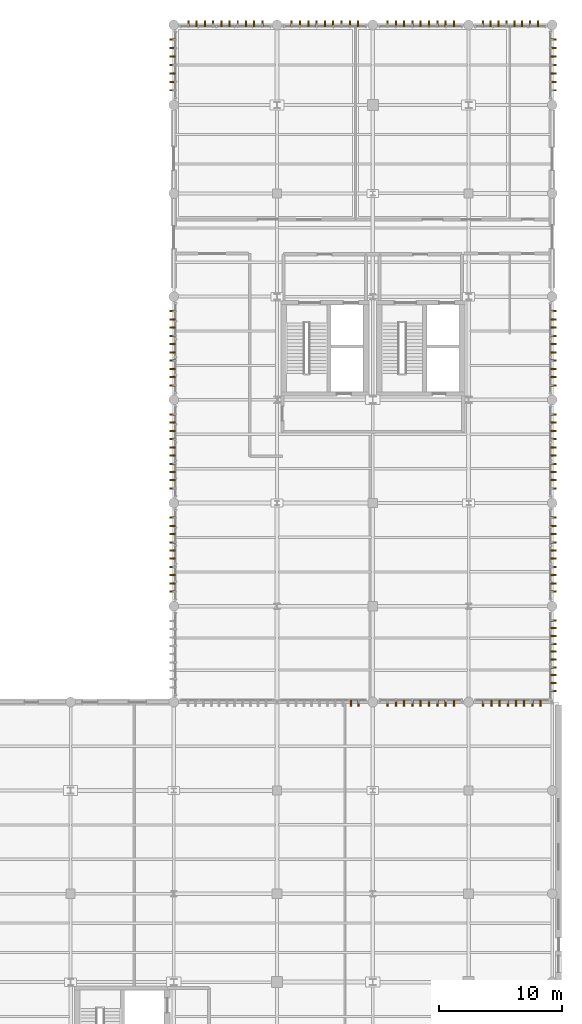
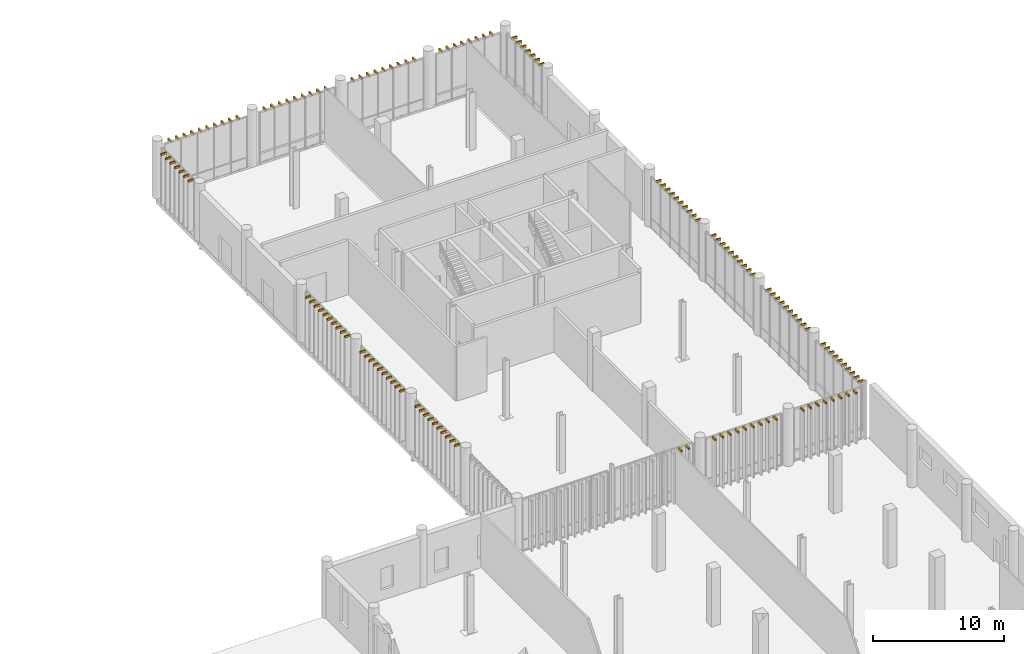
# One storey, part 111 of 112: 139 shading devices.
"""IFC4 building model written with IfcOpenShell, lengths in metres."""

import ifcopenshell
import ifcopenshell.guid

model = None  # the IFC model being written
_history = None  # IfcOwnerHistory: only IFC2X3 demands one
_inside = {}  # id of a spatial element -> (the spatial element, [elements in it])
_under = {}  # id of a project, library or spatial element -> (it, [spatial elements below it])
_declared = {}  # id of a project -> (the project, [libraries it declares])
_typed = {}  # id of a type object -> (the type object, [elements of that type])
_made_of = {}  # id of a material, layer set ... -> (it, [elements and type objects made of it])


def new_model(schema):
    """Start an empty IFC model of exactly this schema.

    Asked for "IFC4X3", IfcOpenShell would pick the latest addendum, in which some entities
    have other attributes; the version numbers below select the first issue.
    IFC2X3 requires an IfcOwnerHistory on every rooted entity: one is made here for all.
    """
    global model, _history
    if schema == "IFC4X3":
        model = ifcopenshell.file(schema_version=(4, 3, 0, 0))
    else:
        model = ifcopenshell.file(schema=schema)
    _inside.clear()
    _under.clear()
    _declared.clear()
    _typed.clear()
    _made_of.clear()
    _history = None
    if model.schema == "IFC2X3":
        org = make("IfcOrganization", Name="unknown")
        user = make(
            "IfcPersonAndOrganization",
            ThePerson=make("IfcPerson", FamilyName="unknown"),
            TheOrganization=org,
        )
        app = make(
            "IfcApplication",
            ApplicationDeveloper=org,
            Version="unknown",
            ApplicationFullName="unknown",
            ApplicationIdentifier="unknown",
        )
        _history = make(
            "IfcOwnerHistory",
            OwningUser=user,
            OwningApplication=app,
            ChangeAction="ADDED",
            CreationDate=0,
        )
    return model


def make(cls, **values):
    """One entity of the class cls with the attributes given. An attribute that is None is left unset."""
    return model.create_entity(
        cls, **{name: value for name, value in values.items() if value is not None}
    )


def rooted(cls, **values):
    """An entity with a GlobalId (a new one), such as an element, a storey or a relation."""
    return make(cls, GlobalId=ifcopenshell.guid.new(), OwnerHistory=_history, **values)


def si_unit(unit_type, name, prefix=None):
    """IfcSIUnit, for example si_unit("LENGTHUNIT", "METRE", prefix="MILLI")."""
    return make("IfcSIUnit", UnitType=unit_type, Prefix=prefix, Name=name)


def assignment(units):
    """IfcUnitAssignment: the units of a project."""
    return None if units is None else make("IfcUnitAssignment", Units=units)


def point(xyz):
    """IfcCartesianPoint."""
    return None if xyz is None else make("IfcCartesianPoint", Coordinates=xyz)


def direction(xyz):
    """IfcDirection."""
    return None if xyz is None else make("IfcDirection", DirectionRatios=xyz)


def frame(location, z_axis=None, x_axis=None):
    """IfcAxis2Placement3D, a coordinate frame: its origin and axes. An axis left out is left unset."""
    return make(
        "IfcAxis2Placement3D",
        Location=point(location),
        Axis=direction(z_axis),
        RefDirection=direction(x_axis),
    )


def frame_2d(location, x_axis=None):
    """IfcAxis2Placement2D, a coordinate frame in the plane: its origin and x axis."""
    return make(
        "IfcAxis2Placement2D", Location=point(location), RefDirection=direction(x_axis)
    )


def origin_with_axes():
    """The frame at (0, 0, 0) with the z axis (0, 0, 1) and the x axis (1, 0, 0) written out."""
    return frame((0.0, 0.0, 0.0), z_axis=(0.0, 0.0, 1.0), x_axis=(1.0, 0.0, 0.0))


def origin_2d_with_axis():
    """The frame at (0, 0) in the plane with the x axis (1, 0) written out."""
    return frame_2d((0.0, 0.0), x_axis=(1.0, 0.0))


def place(relative_to, where):
    """IfcLocalPlacement: puts the frame where relative to a parent placement (None: the world)."""
    return make(
        "IfcLocalPlacement", PlacementRelTo=relative_to, RelativePlacement=where
    )


def context(
    kind, dimensions, precision=None, world=None, true_north=None, identifier=None
):
    """IfcGeometricRepresentationContext, for example the 3D "Model" context."""
    return make(
        "IfcGeometricRepresentationContext",
        ContextIdentifier=identifier,
        ContextType=kind,
        CoordinateSpaceDimension=dimensions,
        Precision=precision,
        WorldCoordinateSystem=world,
        TrueNorth=true_north,
    )


def subcontext(parent, identifier, kind, view, scale=None):
    """IfcGeometricRepresentationSubContext, for example "Body" below "Model"."""
    return make(
        "IfcGeometricRepresentationSubContext",
        ContextIdentifier=identifier,
        ContextType=kind,
        ParentContext=parent,
        TargetScale=scale,
        TargetView=view,
    )


def project(units=None, contexts=None):
    """IfcProject with its units and contexts."""
    return rooted(
        "IfcProject",
        Name="project",
        RepresentationContexts=contexts,
        UnitsInContext=assignment(units),
    )


def spatial(cls, under=None, at=None, **own):
    """A site, building, storey or space (cls), placed at a placement, below another one or the project."""
    s = rooted(cls, ObjectPlacement=at, **own)
    if under is not None:
        _under.setdefault(under.id(), (under, []))[1].append(s)
    return s


def profile(cls, at=None, kind="AREA", **sizes):
    """A parametric profile (cls). Its sizes go by their IFC names, for example OverallWidth=200.0."""
    return make(cls, ProfileType=kind, Position=at, **sizes)


def rectangle(**sizes):
    """IfcRectangleProfileDef."""
    return profile("IfcRectangleProfileDef", **sizes)


def extrude(swept, where, along, depth):
    """IfcExtrudedAreaSolid: the profile swept, set in the frame where, extruded along a direction by depth."""
    return make(
        "IfcExtrudedAreaSolid",
        SweptArea=swept,
        Position=where,
        ExtrudedDirection=direction(along),
        Depth=depth,
    )


def shape(context_of_items, identifier, shape_type, items):
    """IfcShapeRepresentation: the items that make up one representation, for example the "Body"."""
    return make(
        "IfcShapeRepresentation",
        ContextOfItems=context_of_items,
        RepresentationIdentifier=identifier,
        RepresentationType=shape_type,
        Items=items,
    )


def material(Name=None, Category=None):
    """IfcMaterial."""
    return make("IfcMaterial", Name=Name, Category=Category)


def made_of(thing, what):
    """Note that an element or type object is made of a material, layer set ...; save() writes the relation."""
    if what is not None:
        _made_of.setdefault(what.id(), (what, []))[1].append(thing)
    return thing


def type_object(cls, material=None, **own):
    """A type object (cls), such as IfcWallType, which elements share."""
    return made_of(rooted(cls, **own), material)


def element(
    cls,
    number,
    at=None,
    inside=None,
    cuts=None,
    type_object=None,
    material=None,
    context=None,
    identifier="Body",
    shape_type=None,
    held_by="IfcProductDefinitionShape",
    body=None,
    shapes=None,
    **own,
):
    """One element of the class cls, such as IfcWall. Its Tag is "e" and its number.

    at: its placement. inside: the storey or other place that contains it. cuts: it is an
    opening in that element (IfcRelVoidsElement). A single representation is given by context,
    identifier, shape_type and body (its items); several are given by shapes. held_by: the class
    of the entity that holds the representations. save() writes the other relations.
    """
    e = rooted(cls, Tag="e%d" % number, ObjectPlacement=at, **own)
    if body is not None:
        shapes = [shape(context, identifier, shape_type, body)]
    if shapes is not None:
        e.Representation = make(held_by, Representations=shapes)
    if inside is not None:
        _inside.setdefault(inside.id(), (inside, []))[1].append(e)
    if cuts is not None:
        rooted(
            "IfcRelVoidsElement", RelatingBuildingElement=cuts, RelatedOpeningElement=e
        )
    if type_object is not None:
        _typed.setdefault(type_object.id(), (type_object, []))[1].append(e)
    return made_of(e, material)


def aggregate(whole, parts):
    """IfcRelAggregates: a whole, such as a stair, and the parts it consists of."""
    return rooted("IfcRelAggregates", RelatingObject=whole, RelatedObjects=parts)


def save(model, path):
    """Write the relations noted so far, then the file.

    IfcRelAggregates (storeys below a building ...), IfcRelContainedInSpatialStructure (elements
    in a storey), IfcRelDefinesByType, IfcRelAssociatesMaterial and IfcRelDeclares: one each for
    every whole, place, type object, material and project.
    """
    for whole, parts in _under.values():
        aggregate(whole, parts)
    for where, things in _inside.values():
        rooted(
            "IfcRelContainedInSpatialStructure",
            RelatedElements=things,
            RelatingStructure=where,
        )
    for kind, things in _typed.values():
        rooted("IfcRelDefinesByType", RelatedObjects=things, RelatingType=kind)
    for what, things in _made_of.values():
        rooted("IfcRelAssociatesMaterial", RelatedObjects=things, RelatingMaterial=what)
    for by, libraries in _declared.values():
        rooted("IfcRelDeclares", RelatingContext=by, RelatedDefinitions=libraries)
    model.write(path)


model = new_model("IFC4")

# Units and contexts
model_context = context("Model", 3, precision=1e-05, world=origin_with_axes(), true_north=direction((0.0, 1.0)))
body_context = subcontext(model_context, "Body", "Model", "MODEL_VIEW")
ifc_project = project(units=[si_unit("LENGTHUNIT", "METRE"), si_unit("AREAUNIT", "SQUARE_METRE"), si_unit("VOLUMEUNIT", "CUBIC_METRE"), si_unit("PLANEANGLEUNIT", "RADIAN"), si_unit("MASSUNIT", "GRAM", prefix="KILO"), si_unit("THERMODYNAMICTEMPERATUREUNIT", "KELVIN")], contexts=[model_context])

# Site, building, storey
site_placement = place(None, origin_with_axes())
site = spatial("IfcSite", under=ifc_project, at=site_placement, CompositionType="ELEMENT")
building_placement = place(site_placement, origin_with_axes())
building = spatial("IfcBuilding", under=site, at=building_placement, Name="Montbau Bow Law Courts", CompositionType="ELEMENT")
storey_placement = place(building_placement, origin_with_axes())
storey = spatial("IfcBuildingStorey", under=building, at=storey_placement, Name="L00", CompositionType="ELEMENT", Elevation=0.0)

# Shading devices
ifc_material = material(Name="Freeze-Thaw Glazed Slate-Grey Ceramic Vertical Louvre", Category="masonry")
shading_device_type = type_object("IfcShadingDeviceType", Name="SH-LVR-SLT", PredefinedType="USERDEFINED", material=ifc_material)
for number, where, z_axis, x_axis, name in (
    (1, (153.009, 61.69, 4.64), (0.0, 0.0, 1.0), (0.0, -1.0, 0.0), "LVR-L00-2298:shd_2298"),
    (2, (153.647, 61.69, 4.64), (0.0, 0.0, 1.0), (0.0, -1.0, 0.0), "LVR-L00-2299:shd_2299"),
    (3, (155.992, 61.69, 4.64), (0.0, 0.0, 1.0), (0.0, -1.0, 0.0), "LVR-L00-2300:shd_2300"),
    (4, (156.669, 61.69, 4.64), (0.0, 0.0, 1.0), (0.0, -1.0, 0.0), "LVR-L00-2301:shd_2301"),
    (5, (157.346, 61.69, 4.64), (0.0, 0.0, 1.0), (0.0, -1.0, 0.0), "LVR-L00-2302:shd_2302"),
    (6, (158.023, 61.69, 4.64), (0.0, 0.0, 1.0), (0.0, -1.0, 0.0), "LVR-L00-2303:shd_2303"),
    (7, (158.7, 61.69, 4.64), (0.0, 0.0, 1.0), (0.0, -1.0, 0.0), "LVR-L00-2304:shd_2304"),
    (8, (159.377, 61.69, 4.64), (0.0, 0.0, 1.0), (0.0, -1.0, 0.0), "LVR-L00-2305:shd_2305"),
    (9, (160.054, 61.69, 4.64), (0.0, 0.0, 1.0), (0.0, -1.0, 0.0), "LVR-L00-2306:shd_2306"),
    (10, (160.731, 61.69, 4.64), (0.0, 0.0, 1.0), (0.0, -1.0, 0.0), "LVR-L00-2307:shd_2307"),
    (11, (161.408, 61.69, 4.64), (0.0, 0.0, 1.0), (0.0, -1.0, 0.0), "LVR-L00-2308:shd_2308"),
    (12, (163.784, 61.69, 4.64), (0.0, 0.0, 1.0), (0.0, -1.0, 0.0), "LVR-L00-2309:shd_2309"),
    (13, (164.452, 61.69, 4.64), (0.0, 0.0, 1.0), (0.0, -1.0, 0.0), "LVR-L00-2310:shd_2310"),
    (14, (165.121, 61.69, 4.64), (0.0, 0.0, 1.0), (0.0, -1.0, 0.0), "LVR-L00-2311:shd_2311"),
    (15, (165.789, 61.69, 4.64), (0.0, 0.0, 1.0), (0.0, -1.0, 0.0), "LVR-L00-2312:shd_2312"),
    (16, (166.458, 61.69, 4.64), (0.0, 0.0, 1.0), (0.0, -1.0, 0.0), "LVR-L00-2313:shd_2313"),
    (17, (167.126, 61.69, 4.64), (0.0, 0.0, 1.0), (0.0, -1.0, 0.0), "LVR-L00-2314:shd_2314"),
    (18, (167.795, 61.69, 4.64), (0.0, 0.0, 1.0), (0.0, -1.0, 0.0), "LVR-L00-2315:shd_2315"),
    (19, (168.463, 61.69, 4.64), (0.0, 0.0, 1.0), (0.0, -1.0, 0.0), "LVR-L00-2316:shd_2316"),
    (20, (139.785, 117.03, 4.64), (0.0, 0.0, 1.0), (0.0, 1.0, 0.0), "LVR-L00-2317:shd_2317"),
    (21, (140.455, 117.03, 4.64), (0.0, 0.0, 1.0), (0.0, 1.0, 0.0), "LVR-L00-2318:shd_2318"),
    (22, (141.125, 117.03, 4.64), (0.0, 0.0, 1.0), (0.0, 1.0, 0.0), "LVR-L00-2319:shd_2319"),
    (23, (141.795, 117.03, 4.64), (0.0, 0.0, 1.0), (0.0, 1.0, 0.0), "LVR-L00-2320:shd_2320"),
    (24, (142.465, 117.03, 4.64), (0.0, 0.0, 1.0), (0.0, 1.0, 0.0), "LVR-L00-2321:shd_2321"),
    (25, (143.135, 117.03, 4.64), (0.0, 0.0, 1.0), (0.0, 1.0, 0.0), "LVR-L00-2322:shd_2322"),
    (26, (143.805, 117.03, 4.64), (0.0, 0.0, 1.0), (0.0, 1.0, 0.0), "LVR-L00-2323:shd_2323"),
    (27, (144.475, 117.03, 4.64), (0.0, 0.0, 1.0), (0.0, 1.0, 0.0), "LVR-L00-2324:shd_2324"),
    (28, (145.145, 117.03, 4.64), (0.0, 0.0, 1.0), (0.0, 1.0, 0.0), "LVR-L00-2325:shd_2325"),
    (29, (145.815, 117.03, 4.64), (0.0, 0.0, 1.0), (0.0, 1.0, 0.0), "LVR-L00-2326:shd_2326"),
    (30, (148.192, 117.03, 4.64), (0.0, 0.0, 1.0), (0.0, 1.0, 0.0), "LVR-L00-2327:shd_2327"),
    (31, (148.869, 117.03, 4.64), (0.0, 0.0, 1.0), (0.0, 1.0, 0.0), "LVR-L00-2328:shd_2328"),
    (32, (149.546, 117.03, 4.64), (0.0, 0.0, 1.0), (0.0, 1.0, 0.0), "LVR-L00-2329:shd_2329"),
    (33, (150.223, 117.03, 4.64), (0.0, 0.0, 1.0), (0.0, 1.0, 0.0), "LVR-L00-2330:shd_2330"),
    (34, (150.9, 117.03, 4.64), (0.0, 0.0, 1.0), (0.0, 1.0, 0.0), "LVR-L00-2331:shd_2331"),
    (35, (151.577, 117.03, 4.64), (0.0, 0.0, 1.0), (0.0, 1.0, 0.0), "LVR-L00-2332:shd_2332"),
    (36, (152.254, 117.03, 4.64), (0.0, 0.0, 1.0), (0.0, 1.0, 0.0), "LVR-L00-2333:shd_2333"),
    (37, (152.931, 117.03, 4.64), (0.0, 0.0, 1.0), (0.0, 1.0, 0.0), "LVR-L00-2334:shd_2334"),
    (38, (153.608, 117.03, 4.64), (0.0, 0.0, 1.0), (0.0, 1.0, 0.0), "LVR-L00-2335:shd_2335"),
    (39, (155.992, 117.03, 4.64), (0.0, 0.0, 1.0), (0.0, 1.0, 0.0), "LVR-L00-2336:shd_2336"),
    (40, (156.669, 117.03, 4.64), (0.0, 0.0, 1.0), (0.0, 1.0, 0.0), "LVR-L00-2337:shd_2337"),
    (41, (157.346, 117.03, 4.64), (0.0, 0.0, 1.0), (0.0, 1.0, 0.0), "LVR-L00-2338:shd_2338"),
    (42, (158.023, 117.03, 4.64), (0.0, 0.0, 1.0), (0.0, 1.0, 0.0), "LVR-L00-2339:shd_2339"),
    (43, (158.7, 117.03, 4.64), (0.0, 0.0, 1.0), (0.0, 1.0, 0.0), "LVR-L00-2340:shd_2340"),
    (44, (159.377, 117.03, 4.64), (0.0, 0.0, 1.0), (0.0, 1.0, 0.0), "LVR-L00-2341:shd_2341"),
    (45, (160.054, 117.03, 4.64), (0.0, 0.0, 1.0), (0.0, 1.0, 0.0), "LVR-L00-2342:shd_2342"),
    (46, (160.731, 117.03, 4.64), (0.0, 0.0, 1.0), (0.0, 1.0, 0.0), "LVR-L00-2343:shd_2343"),
    (47, (161.408, 117.03, 4.64), (0.0, 0.0, 1.0), (0.0, 1.0, 0.0), "LVR-L00-2344:shd_2344"),
    (48, (163.756, 117.03, 4.64), (0.0, 0.0, 1.0), (0.0, 1.0, 0.0), "LVR-L00-2345:shd_2345"),
    (49, (164.397, 117.03, 4.64), (0.0, 0.0, 1.0), (0.0, 1.0, 0.0), "LVR-L00-2346:shd_2346"),
    (50, (165.038, 117.03, 4.64), (0.0, 0.0, 1.0), (0.0, 1.0, 0.0), "LVR-L00-2347:shd_2347"),
    (51, (165.679, 117.03, 4.64), (0.0, 0.0, 1.0), (0.0, 1.0, 0.0), "LVR-L00-2348:shd_2348"),
    (52, (166.321, 117.03, 4.64), (0.0, 0.0, 1.0), (0.0, 1.0, 0.0), "LVR-L00-2349:shd_2349"),
    (53, (166.962, 117.03, 4.64), (0.0, 0.0, 1.0), (0.0, 1.0, 0.0), "LVR-L00-2350:shd_2350"),
    (54, (167.603, 117.03, 4.64), (0.0, 0.0, 1.0), (0.0, 1.0, 0.0), "LVR-L00-2351:shd_2351"),
    (55, (168.244, 117.03, 4.64), (0.0, 0.0, 1.0), (0.0, 1.0, 0.0), "LVR-L00-2352:shd_2352"),
    (56, (138.49, 70.785, 4.64), (0.0, 0.0, 1.0), (-1.0, 0.0, 0.0), "LVR-L00-2362:shd_2362"),
    (57, (138.49, 71.455, 4.64), (0.0, 0.0, 1.0), (-1.0, 0.0, 0.0), "LVR-L00-2363:shd_2363"),
    (58, (138.49, 72.125, 4.64), (0.0, 0.0, 1.0), (-1.0, 0.0, 0.0), "LVR-L00-2364:shd_2364"),
    (59, (138.49, 72.795, 4.64), (0.0, 0.0, 1.0), (-1.0, 0.0, 0.0), "LVR-L00-2365:shd_2365"),
    (60, (138.49, 73.465, 4.64), (0.0, 0.0, 1.0), (-1.0, 0.0, 0.0), "LVR-L00-2366:shd_2366"),
    (61, (138.49, 74.135, 4.64), (0.0, 0.0, 1.0), (-1.0, 0.0, 0.0), "LVR-L00-2367:shd_2367"),
    (62, (138.49, 74.805, 4.64), (0.0, 0.0, 1.0), (-1.0, 0.0, 0.0), "LVR-L00-2368:shd_2368"),
    (63, (138.49, 75.475, 4.64), (0.0, 0.0, 1.0), (-1.0, 0.0, 0.0), "LVR-L00-2369:shd_2369"),
    (64, (138.49, 76.145, 4.64), (0.0, 0.0, 1.0), (-1.0, 0.0, 0.0), "LVR-L00-2370:shd_2370"),
    (65, (138.49, 76.815, 4.64), (0.0, 0.0, 1.0), (-1.0, 0.0, 0.0), "LVR-L00-2371:shd_2371"),
    (66, (138.49, 79.185, 4.64), (0.0, 0.0, 1.0), (-1.0, 0.0, 0.0), "LVR-L00-2372:shd_2372"),
    (67, (138.49, 79.855, 4.64), (0.0, 0.0, 1.0), (-1.0, 0.0, 0.0), "LVR-L00-2373:shd_2373"),
    (68, (138.49, 80.525, 4.64), (0.0, 0.0, 1.0), (-1.0, 0.0, 0.0), "LVR-L00-2374:shd_2374"),
    (69, (138.49, 81.195, 4.64), (0.0, 0.0, 1.0), (-1.0, 0.0, 0.0), "LVR-L00-2375:shd_2375"),
    (70, (138.49, 81.865, 4.64), (0.0, 0.0, 1.0), (-1.0, 0.0, 0.0), "LVR-L00-2376:shd_2376"),
    (71, (138.49, 82.535, 4.64), (0.0, 0.0, 1.0), (-1.0, 0.0, 0.0), "LVR-L00-2377:shd_2377"),
    (72, (138.49, 83.205, 4.64), (0.0, 0.0, 1.0), (-1.0, 0.0, 0.0), "LVR-L00-2378:shd_2378"),
    (73, (138.49, 83.875, 4.64), (0.0, 0.0, 1.0), (-1.0, 0.0, 0.0), "LVR-L00-2379:shd_2379"),
    (74, (138.49, 84.545, 4.64), (0.0, 0.0, 1.0), (-1.0, 0.0, 0.0), "LVR-L00-2380:shd_2380"),
    (75, (138.49, 85.215, 4.64), (0.0, 0.0, 1.0), (-1.0, 0.0, 0.0), "LVR-L00-2381:shd_2381"),
    (76, (138.49, 87.585, 4.64), (0.0, 0.0, 1.0), (-1.0, 0.0, 0.0), "LVR-L00-2382:shd_2382"),
    (77, (138.49, 88.255, 4.64), (0.0, 0.0, 1.0), (-1.0, 0.0, 0.0), "LVR-L00-2383:shd_2383"),
    (78, (138.49, 88.925, 4.64), (0.0, 0.0, 1.0), (-1.0, 0.0, 0.0), "LVR-L00-2384:shd_2384"),
    (79, (138.49, 89.595, 4.64), (0.0, 0.0, 1.0), (-1.0, 0.0, 0.0), "LVR-L00-2385:shd_2385"),
    (80, (138.49, 90.265, 4.64), (0.0, 0.0, 1.0), (-1.0, 0.0, 0.0), "LVR-L00-2386:shd_2386"),
    (81, (138.49, 90.935, 4.64), (0.0, 0.0, 1.0), (-1.0, 0.0, 0.0), "LVR-L00-2387:shd_2387"),
    (82, (138.49, 91.605, 4.64), (0.0, 0.0, 1.0), (-1.0, 0.0, 0.0), "LVR-L00-2388:shd_2388"),
    (83, (138.49, 92.275, 4.64), (0.0, 0.0, 1.0), (-1.0, 0.0, 0.0), "LVR-L00-2389:shd_2389"),
    (84, (138.49, 92.945, 4.64), (0.0, 0.0, 1.0), (-1.0, 0.0, 0.0), "LVR-L00-2390:shd_2390"),
    (85, (138.49, 93.615, 4.64), (0.0, 0.0, 1.0), (-1.0, 0.0, 0.0), "LVR-L00-2391:shd_2391"),
    (86, (138.49, 111.601, 4.64), (0.0, 0.0, 1.0), (-1.0, 0.0, 0.0), "LVR-L00-2392:shd_2392"),
    (87, (138.49, 112.287, 4.64), (0.0, 0.0, 1.0), (-1.0, 0.0, 0.0), "LVR-L00-2393:shd_2393"),
    (88, (138.49, 112.974, 4.64), (0.0, 0.0, 1.0), (-1.0, 0.0, 0.0), "LVR-L00-2394:shd_2394"),
    (89, (138.49, 113.66, 4.64), (0.0, 0.0, 1.0), (-1.0, 0.0, 0.0), "LVR-L00-2395:shd_2395"),
    (90, (138.49, 114.346, 4.64), (0.0, 0.0, 1.0), (-1.0, 0.0, 0.0), "LVR-L00-2396:shd_2396"),
    (91, (138.49, 115.032, 4.64), (0.0, 0.0, 1.0), (-1.0, 0.0, 0.0), "LVR-L00-2397:shd_2397"),
    (92, (138.49, 115.719, 4.64), (0.0, 0.0, 1.0), (-1.0, 0.0, 0.0), "LVR-L00-2398:shd_2398"),
    (93, (169.51, 62.706, 4.64), (0.0, 0.0, 1.0), (1.0, 0.0, 0.0), "LVR-L00-2399:shd_2399"),
    (94, (169.51, 63.344, 4.64), (0.0, 0.0, 1.0), (1.0, 0.0, 0.0), "LVR-L00-2400:shd_2400"),
    (95, (169.51, 63.982, 4.64), (0.0, 0.0, 1.0), (1.0, 0.0, 0.0), "LVR-L00-2401:shd_2401"),
    (96, (169.51, 64.62, 4.64), (0.0, 0.0, 1.0), (1.0, 0.0, 0.0), "LVR-L00-2402:shd_2402"),
    (97, (169.51, 65.258, 4.64), (0.0, 0.0, 1.0), (1.0, 0.0, 0.0), "LVR-L00-2403:shd_2403"),
    (98, (169.51, 65.895, 4.64), (0.0, 0.0, 1.0), (1.0, 0.0, 0.0), "LVR-L00-2404:shd_2404"),
    (99, (169.51, 66.533, 4.64), (0.0, 0.0, 1.0), (1.0, 0.0, 0.0), "LVR-L00-2405:shd_2405"),
    (100, (169.51, 67.171, 4.64), (0.0, 0.0, 1.0), (1.0, 0.0, 0.0), "LVR-L00-2406:shd_2406"),
    (101, (169.51, 67.809, 4.64), (0.0, 0.0, 1.0), (1.0, 0.0, 0.0), "LVR-L00-2407:shd_2407"),
    (102, (169.51, 68.447, 4.64), (0.0, 0.0, 1.0), (1.0, 0.0, 0.0), "LVR-L00-2408:shd_2408"),
    (103, (169.51, 70.785, 4.64), (0.0, 0.0, 1.0), (1.0, 0.0, 0.0), "LVR-L00-2409:shd_2409"),
    (104, (169.51, 71.455, 4.64), (0.0, 0.0, 1.0), (1.0, 0.0, 0.0), "LVR-L00-2410:shd_2410"),
    (105, (169.51, 72.125, 4.64), (0.0, 0.0, 1.0), (1.0, 0.0, 0.0), "LVR-L00-2411:shd_2411"),
    (106, (169.51, 72.795, 4.64), (0.0, 0.0, 1.0), (1.0, 0.0, 0.0), "LVR-L00-2412:shd_2412"),
    (107, (169.51, 73.465, 4.64), (0.0, 0.0, 1.0), (1.0, 0.0, 0.0), "LVR-L00-2413:shd_2413"),
    (108, (169.51, 74.135, 4.64), (0.0, 0.0, 1.0), (1.0, 0.0, 0.0), "LVR-L00-2414:shd_2414"),
    (109, (169.51, 74.805, 4.64), (0.0, 0.0, 1.0), (1.0, 0.0, 0.0), "LVR-L00-2415:shd_2415"),
    (110, (169.51, 75.475, 4.64), (0.0, 0.0, 1.0), (1.0, 0.0, 0.0), "LVR-L00-2416:shd_2416"),
    (111, (169.51, 76.145, 4.64), (0.0, 0.0, 1.0), (1.0, 0.0, 0.0), "LVR-L00-2417:shd_2417"),
    (112, (169.51, 76.815, 4.64), (0.0, 0.0, 1.0), (1.0, 0.0, 0.0), "LVR-L00-2418:shd_2418"),
    (113, (169.51, 79.185, 4.64), (0.0, 0.0, 1.0), (1.0, 0.0, 0.0), "LVR-L00-2419:shd_2419"),
    (114, (169.51, 79.855, 4.64), (0.0, 0.0, 1.0), (1.0, 0.0, 0.0), "LVR-L00-2420:shd_2420"),
    (115, (169.51, 80.525, 4.64), (0.0, 0.0, 1.0), (1.0, 0.0, 0.0), "LVR-L00-2421:shd_2421"),
    (116, (169.51, 81.195, 4.64), (0.0, 0.0, 1.0), (1.0, 0.0, 0.0), "LVR-L00-2422:shd_2422"),
    (117, (169.51, 81.865, 4.64), (0.0, 0.0, 1.0), (1.0, 0.0, 0.0), "LVR-L00-2423:shd_2423"),
    (118, (169.51, 82.535, 4.64), (0.0, 0.0, 1.0), (1.0, 0.0, 0.0), "LVR-L00-2424:shd_2424"),
    (119, (169.51, 83.205, 4.64), (0.0, 0.0, 1.0), (1.0, 0.0, 0.0), "LVR-L00-2425:shd_2425"),
    (120, (169.51, 83.875, 4.64), (0.0, 0.0, 1.0), (1.0, 0.0, 0.0), "LVR-L00-2426:shd_2426"),
    (121, (169.51, 84.545, 4.64), (0.0, 0.0, 1.0), (1.0, 0.0, 0.0), "LVR-L00-2427:shd_2427"),
    (122, (169.51, 85.215, 4.64), (0.0, 0.0, 1.0), (1.0, 0.0, 0.0), "LVR-L00-2428:shd_2428"),
    (123, (169.51, 87.585, 4.64), (0.0, 0.0, 1.0), (1.0, 0.0, 0.0), "LVR-L00-2429:shd_2429"),
    (124, (169.51, 88.255, 4.64), (0.0, 0.0, 1.0), (1.0, 0.0, 0.0), "LVR-L00-2430:shd_2430"),
    (125, (169.51, 88.925, 4.64), (0.0, 0.0, 1.0), (1.0, 0.0, 0.0), "LVR-L00-2431:shd_2431"),
    (126, (169.51, 89.595, 4.64), (0.0, 0.0, 1.0), (1.0, 0.0, 0.0), "LVR-L00-2432:shd_2432"),
    (127, (169.51, 90.265, 4.64), (0.0, 0.0, 1.0), (1.0, 0.0, 0.0), "LVR-L00-2433:shd_2433"),
    (128, (169.51, 90.935, 4.64), (0.0, 0.0, 1.0), (1.0, 0.0, 0.0), "LVR-L00-2434:shd_2434"),
    (129, (169.51, 91.605, 4.64), (0.0, 0.0, 1.0), (1.0, 0.0, 0.0), "LVR-L00-2435:shd_2435"),
    (130, (169.51, 92.275, 4.64), (0.0, 0.0, 1.0), (1.0, 0.0, 0.0), "LVR-L00-2436:shd_2436"),
    (131, (169.51, 92.945, 4.64), (0.0, 0.0, 1.0), (1.0, 0.0, 0.0), "LVR-L00-2437:shd_2437"),
    (132, (169.51, 93.615, 4.64), (0.0, 0.0, 1.0), (1.0, 0.0, 0.0), "LVR-L00-2438:shd_2438"),
    (133, (169.51, 111.601, 4.64), (0.0, 0.0, 1.0), (1.0, 0.0, 0.0), "LVR-L00-2439:shd_2439"),
    (134, (169.51, 112.287, 4.64), (0.0, 0.0, 1.0), (1.0, 0.0, 0.0), "LVR-L00-2440:shd_2440"),
    (135, (169.51, 112.974, 4.64), (0.0, 0.0, 1.0), (1.0, 0.0, 0.0), "LVR-L00-2441:shd_2441"),
    (136, (169.51, 113.66, 4.64), (0.0, 0.0, 1.0), (1.0, 0.0, 0.0), "LVR-L00-2442:shd_2442"),
    (137, (169.51, 114.346, 4.64), (0.0, 0.0, 1.0), (1.0, 0.0, 0.0), "LVR-L00-2443:shd_2443"),
    (138, (169.51, 115.032, 4.64), (0.0, 0.0, 1.0), (1.0, 0.0, 0.0), "LVR-L00-2444:shd_2444"),
    (139, (169.51, 115.719, 4.64), (0.0, 0.0, 1.0), (1.0, 0.0, 0.0), "LVR-L00-2445:shd_2445"),
):
    element("IfcShadingDevice", number, at=place(None, frame(where, z_axis=z_axis, x_axis=x_axis)), inside=storey, type_object=shading_device_type, Name=name, ObjectType="LOUVRE", PredefinedType="USERDEFINED", context=body_context, shape_type="SweptSolid", body=[
        extrude(rectangle(XDim=0.48, YDim=0.12, at=origin_2d_with_axis()), origin_with_axes(), (0.0, 0.0, 1.0), 0.18),
    ])

save(model, "model.ifc")
